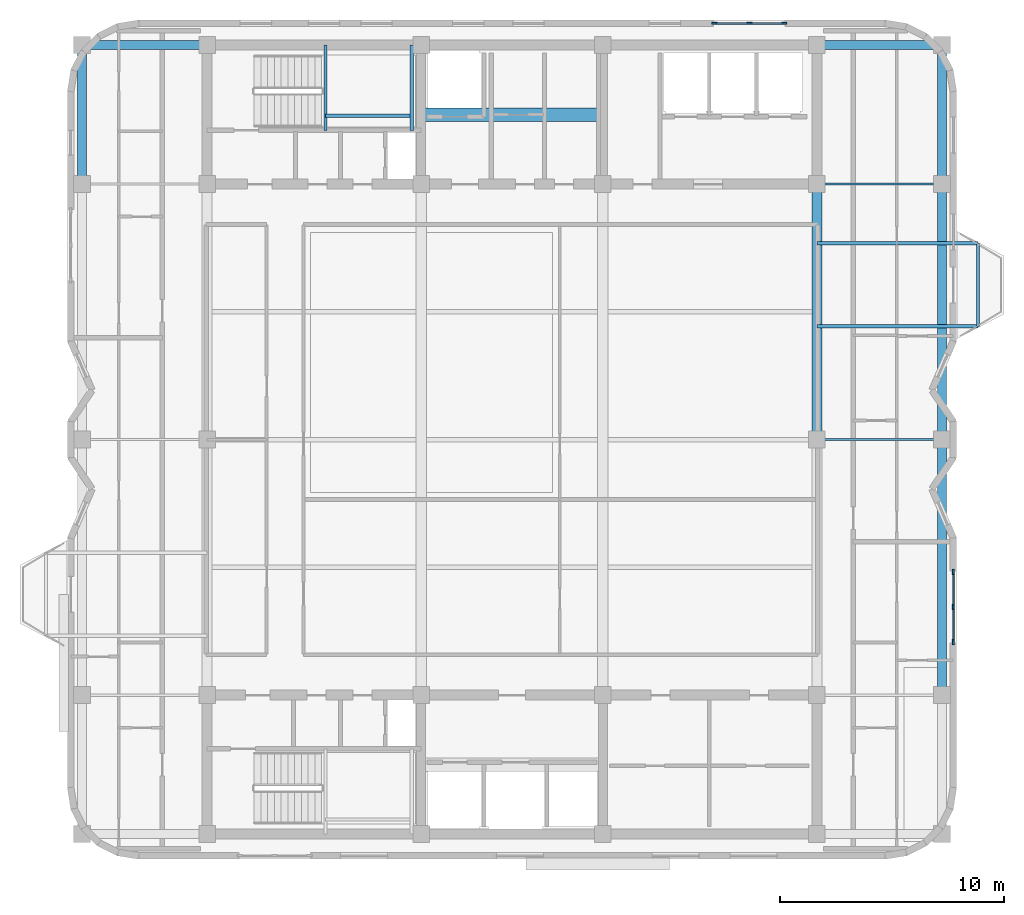
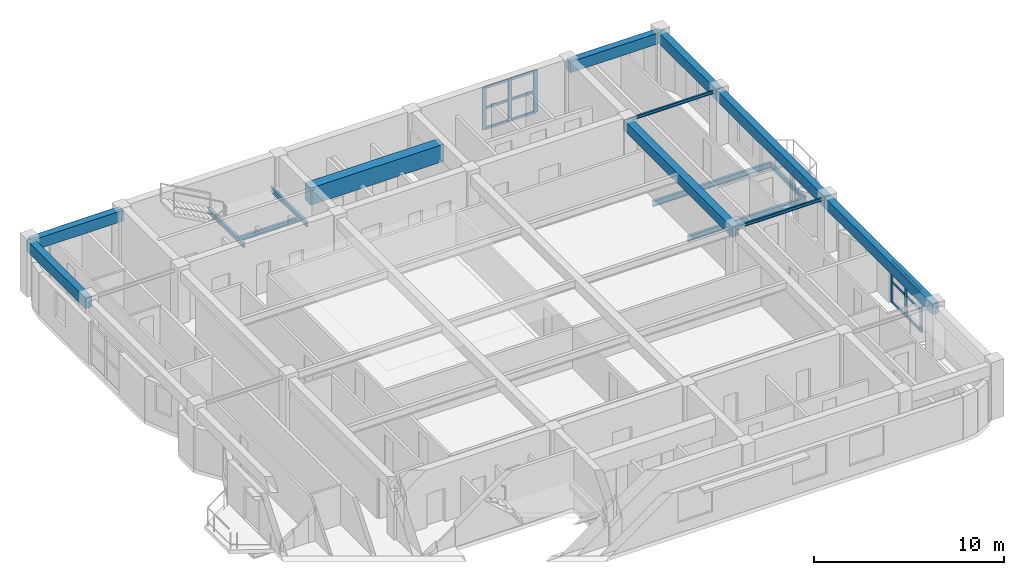
# One storey, part 3 of 11: 18 members, 16 beams, 2 elements without a shape of their own.
"""IFC4 building model written with IfcOpenShell, lengths in metres."""

from ifc_helpers import new_model, si_unit, direction, frame, origin, origin_2d, place, context, subcontext, project, spatial, rectangle, i_section, extrude, material, material_profile, profile_set, type_object, element, aggregate, save


model = new_model("IFC4")

# Units and contexts
model_context = context("Model", 3, precision=1e-05, world=origin(), true_north=direction((0.0, 1.0)))
body_context = subcontext(model_context, "Body", "Model", "MODEL_VIEW")
ifc_project = project(units=[si_unit("LENGTHUNIT", "METRE"), si_unit("AREAUNIT", "SQUARE_METRE"), si_unit("VOLUMEUNIT", "CUBIC_METRE"), si_unit("PLANEANGLEUNIT", "RADIAN"), si_unit("MASSUNIT", "GRAM", prefix="KILO")], contexts=[model_context])

# Site, building, storey
site_placement = place(None, origin())
site = spatial("IfcSite", under=ifc_project, at=site_placement, CompositionType="ELEMENT")
building_placement = place(site_placement, origin())
building = spatial("IfcBuilding", under=site, at=building_placement, Name="Svetorya Sky Lyceum", CompositionType="ELEMENT")
storey_placement = place(building_placement, frame((0.0, 0.0, 293.5)))
storey = spatial("IfcBuildingStorey", under=building, at=storey_placement, Name="L74", CompositionType="ELEMENT", Elevation=293.5)

# Beams
ifc_material_1 = material(Name="Concrete C60/75", Category="concrete")
ifc_material_profile_1 = material_profile(ifc_material_1, rectangle(XDim=0.60009765625, YDim=1.10009765625, at=origin_2d()), Name="RC COUPLING 600x1100")
ifc_profile_set_1 = profile_set([ifc_material_profile_1], Name="Concrete C60/75")
beam_type_1 = type_object("IfcBeamType", Name="BM-CPL-1100", PredefinedType="LINTEL", material=ifc_profile_set_1)
beam_1_placement = place(storey_placement, frame((35.14990234375, 42.699951171875, 2.8798828125), z_axis=(1.0, 0.0, 0.0), x_axis=(0.0, 1.0, 0.0)))
element("IfcBeam", 1, at=beam_1_placement, inside=storey, type_object=beam_type_1, Name="L74 NC Core Coupling Beam", PredefinedType="LINTEL", context=body_context, shape_type="SweptSolid", body=[
    extrude(rectangle(XDim=0.60009765625, YDim=1.10009765625, at=origin_2d()), origin(), (0.0, 0.0, 1.0), 8.10009765625),
])
ifc_material_2 = material(Name="Concrete C40/50", Category="concrete")
ifc_material_profile_2 = material_profile(ifc_material_2, rectangle(XDim=0.449951171875, YDim=0.64990234375, at=origin_2d()), Name="RC BEAM 450x650")
ifc_profile_set_2 = profile_set([ifc_material_profile_2], Name="Concrete C40/50")
beam_type_2 = type_object("IfcBeamType", Name="BM-RC-650", PredefinedType="BEAM", material=ifc_profile_set_2)
beam_2_placement = place(storey_placement, frame((52.800048828125, 28.199951171875, 3.10498046875), z_axis=(0.0, 1.0, 0.0), x_axis=(-1.0, 0.0, 0.0)))
element("IfcBeam", 2, at=beam_2_placement, inside=storey, type_object=beam_type_2, Name="L74 Central Bay Primary Girder CG-4B", PredefinedType="BEAM", context=body_context, shape_type="SweptSolid", body=[
    extrude(rectangle(XDim=0.449951171875, YDim=0.64990234375, at=origin_2d()), origin(), (0.0, 0.0, 1.0), 11.400146484375),
])
ifc_material_3 = material(Name="Concrete C50/60", Category="concrete")
ifc_material_profile_3 = material_profile(ifc_material_3, rectangle(XDim=0.39990234375, YDim=0.699951171875, at=origin_2d()), Name="RC SPANDREL 400x700")
ifc_profile_set_3 = profile_set([ifc_material_profile_3], Name="Concrete C50/60")
beam_type_3 = type_object("IfcBeamType", Name="BM-SPN-700", PredefinedType="SPANDREL", material=ifc_profile_set_3)
beam_3_placement = place(storey_placement, frame((20.010009765625, 45.800048828125, 3.080078125), z_axis=(1.0, 0.0, 0.0), x_axis=(0.0, 1.0, 0.0)))
element("IfcBeam", 3, at=beam_3_placement, inside=storey, type_object=beam_type_3, Name="L74 Tie Spandrel NW", PredefinedType="SPANDREL", context=body_context, shape_type="SweptSolid", body=[
    extrude(rectangle(XDim=0.39990234375, YDim=0.699951171875, at=origin_2d()), origin(), (0.0, 0.0, 1.0), 5.590087890625),
])
beam_4_placement = place(storey_placement, frame((52.800048828125, 45.800048828125, 3.080078125), z_axis=(1.0, 0.0, 0.0), x_axis=(0.0, 1.0, 0.0)))
element("IfcBeam", 4, at=beam_4_placement, inside=storey, type_object=beam_type_3, Name="L74 Tie Spandrel NE", PredefinedType="SPANDREL", context=body_context, shape_type="SweptSolid", body=[
    extrude(rectangle(XDim=0.39990234375, YDim=0.699951171875, at=origin_2d()), origin(), (0.0, 0.0, 1.0), 5.58984375),
])
beam_5_placement = place(storey_placement, frame((20.010009765625, 39.60009765625, 3.080078125), z_axis=(0.0, 1.0, 0.0), x_axis=(-1.0, 0.0, 0.0)))
element("IfcBeam", 5, at=beam_5_placement, inside=storey, type_object=beam_type_3, Name="L74 West Spandrel 4", PredefinedType="SPANDREL", context=body_context, shape_type="SweptSolid", body=[
    extrude(rectangle(XDim=0.39990234375, YDim=0.699951171875, at=origin_2d()), origin(), (0.0, 0.0, 1.0), 6.199951171875),
])
beam_6_placement = place(storey_placement, frame((58.389892578125, 16.800048828125, 3.080078125), z_axis=(0.0, 1.0, 0.0), x_axis=(-1.0, 0.0, 0.0)))
element("IfcBeam", 6, at=beam_6_placement, inside=storey, type_object=beam_type_3, Name="L74 East Spandrel 2", PredefinedType="SPANDREL", context=body_context, shape_type="SweptSolid", body=[
    extrude(rectangle(XDim=0.39990234375, YDim=0.699951171875, at=origin_2d()), origin(), (0.0, 0.0, 1.0), 11.39990234375),
])
beam_7_placement = place(storey_placement, frame((58.389892578125, 28.199951171875, 3.080078125), z_axis=(0.0, 1.0, 0.0), x_axis=(-1.0, 0.0, 0.0)))
element("IfcBeam", 7, at=beam_7_placement, inside=storey, type_object=beam_type_3, Name="L74 East Spandrel 3", PredefinedType="SPANDREL", context=body_context, shape_type="SweptSolid", body=[
    extrude(rectangle(XDim=0.39990234375, YDim=0.699951171875, at=origin_2d()), origin(), (0.0, 0.0, 1.0), 11.400146484375),
])
beam_8_placement = place(storey_placement, frame((58.389892578125, 39.60009765625, 3.080078125), z_axis=(0.0, 1.0, 0.0), x_axis=(-1.0, 0.0, 0.0)))
element("IfcBeam", 8, at=beam_8_placement, inside=storey, type_object=beam_type_3, Name="L74 East Spandrel 4", PredefinedType="SPANDREL", context=body_context, shape_type="SweptSolid", body=[
    extrude(rectangle(XDim=0.39990234375, YDim=0.699951171875, at=origin_2d()), origin(), (0.0, 0.0, 1.0), 6.199951171875),
])
ifc_material_4 = material(Name="Steel S355", Category="steel")
ifc_material_profile_4 = material_profile(ifc_material_4, i_section(OverallWidth=0.10009765625, OverallDepth=0.199951171875, WebThickness=0.005615234375, FlangeThickness=0.008544921875, at=origin_2d()), Name="GOST 20B1")
ifc_profile_set_4 = profile_set([ifc_material_profile_4], Name="Steel S355")
beam_type_4 = type_object("IfcBeamType", Name="BM-STL-20B1", PredefinedType="JOIST", material=ifc_profile_set_4)
for number, where, z_axis, x_axis, name in (
    (9, (52.800048828125, 28.199951171875, 3.330078125), (1.0, 0.0, 0.0), (0.0, 1.0, 0.0), "L74 East Wing Floor Joist E3"),
    (10, (52.800048828125, 39.60009765625, 3.330078125), (1.0, 0.0, 0.0), (0.0, 1.0, 0.0), "L74 East Wing Floor Joist E4"),
):
    element("IfcBeam", number, at=place(storey_placement, frame(where, z_axis=z_axis, x_axis=x_axis)), inside=storey, type_object=beam_type_4, Name=name, PredefinedType="JOIST", context=body_context, shape_type="SweptSolid", body=[
        extrude(i_section(OverallWidth=0.10009765625, OverallDepth=0.199951171875, WebThickness=0.005615234375, FlangeThickness=0.008544921875, at=origin_2d()), origin(), (0.0, 0.0, 1.0), 5.58984375),
    ])
ifc_material_profile_5 = material_profile(ifc_material_4, i_section(OverallWidth=0.14990234375, OverallDepth=0.299072265625, WebThickness=0.006591796875, FlangeThickness=0.010498046875, at=origin_2d()), Name="GOST 30B2")
ifc_profile_set_5 = profile_set([ifc_material_profile_5], Name="Steel S355")
beam_type_5 = type_object("IfcBeamType", Name="BM-STL-30B2", PredefinedType="JOIST", material=ifc_profile_set_5)
beam_9_placement = place(storey_placement, frame((59.989990234375, 33.25, -0.424560546875), z_axis=(0.0, 1.0, 0.0), x_axis=(-1.0, 0.0, 0.0)))
element("IfcBeam", 11, at=beam_9_placement, inside=storey, type_object=beam_type_5, Name="L74 Balcony Edge Tie BAL-E1", PredefinedType="JOIST", context=body_context, shape_type="SweptSolid", body=[
    extrude(i_section(OverallWidth=0.14990234375, OverallDepth=0.299072265625, WebThickness=0.006591796875, FlangeThickness=0.010498046875, at=origin_2d()), origin(), (0.0, 0.0, 1.0), 3.699951171875),
])
for number, where, z_axis, x_axis, name in (
    (12, (30.8798828125, 42.0, 1.50048828125), (0.0, 1.0, 0.0), (-1.0, 0.0, 0.0), "L74 Stair ST-N Half-Landing Support Beam 82.1"),
    (13, (34.719970703125, 42.0, 1.50048828125), (0.0, 1.0, 0.0), (-1.0, 0.0, 0.0), "L74 Stair ST-N Half-Landing Support Beam 82.2"),
):
    element("IfcBeam", number, at=place(storey_placement, frame(where, z_axis=z_axis, x_axis=x_axis)), inside=storey, type_object=beam_type_5, Name=name, PredefinedType="JOIST", context=body_context, shape_type="SweptSolid", body=[
        extrude(i_section(OverallWidth=0.14990234375, OverallDepth=0.299072265625, WebThickness=0.006591796875, FlangeThickness=0.010498046875, at=origin_2d()), origin(), (0.0, 0.0, 1.0), 3.800048828125),
    ])
beam_10_placement = place(storey_placement, frame((30.8798828125, 42.64990234375, 1.50048828125), z_axis=(1.0, 0.0, 0.0), x_axis=(0.0, 1.0, 0.0)))
element("IfcBeam", 14, at=beam_10_placement, inside=storey, type_object=beam_type_5, Name="L74 Stair ST-N Half-Landing Cross Tie 82", PredefinedType="JOIST", context=body_context, shape_type="SweptSolid", body=[
    extrude(i_section(OverallWidth=0.14990234375, OverallDepth=0.299072265625, WebThickness=0.006591796875, FlangeThickness=0.010498046875, at=origin_2d()), origin(), (0.0, 0.0, 1.0), 3.840087890625),
])
ifc_material_profile_6 = material_profile(ifc_material_4, i_section(OverallWidth=0.155029296875, OverallDepth=0.34912109375, WebThickness=0.007080078125, FlangeThickness=0.011474609375, at=origin_2d()), Name="GOST 35B2")
ifc_profile_set_6 = profile_set([ifc_material_profile_6], Name="Steel S355")
beam_type_6 = type_object("IfcBeamType", Name="BM-STL-35B2", PredefinedType="JOIST", material=ifc_profile_set_6)
for number, where, z_axis, x_axis, name in (
    (15, (52.800048828125, 33.25, -0.424560546875), (1.0, 0.0, 0.0), (0.0, 1.0, 0.0), "L74 Balcony Cantilever Beam BAL-E1-1"),
    (16, (52.800048828125, 36.949951171875, -0.424560546875), (1.0, 0.0, 0.0), (0.0, 1.0, 0.0), "L74 Balcony Cantilever Beam BAL-E1-2"),
):
    element("IfcBeam", number, at=place(storey_placement, frame(where, z_axis=z_axis, x_axis=x_axis)), inside=storey, type_object=beam_type_6, Name=name, PredefinedType="JOIST", context=body_context, shape_type="SweptSolid", body=[
        extrude(i_section(OverallWidth=0.155029296875, OverallDepth=0.34912109375, WebThickness=0.007080078125, FlangeThickness=0.011474609375, at=origin_2d()), origin(), (0.0, 0.0, 1.0), 7.18994140625),
    ])

# Curtain wall, members
ifc_material_5 = material(Name="Thermally broken anodized aluminium and triple low-E glass", Category="aluminium")
curtain_wall_type = type_object("IfcCurtainWallType", Name="CW6-CRN-OBS", PredefinedType="NOTDEFINED", material=ifc_material_5)
curtain_wall_1_placement = place(storey_placement, origin())
curtain_wall_1 = element("IfcCurtainWall", 17, at=curtain_wall_1_placement, inside=storey, type_object=curtain_wall_type, Name="L74 Observatory Curtain Wall 12", PredefinedType="NOTDEFINED")
ifc_material_6 = material(Name="Thermally broken anodized aluminium EN AW-6060", Category="aluminium")
ifc_material_profile_7 = material_profile(ifc_material_6, rectangle(XDim=0.0849609375, YDim=0.239990234375, at=origin_2d()), Name="ALU MULLION 85x240")
ifc_profile_set_7 = profile_set([ifc_material_profile_7], Name="Thermally broken anodized aluminium EN AW-6060")
member_type_1 = type_object("IfcMemberType", Name="CWM-MUL-240", PredefinedType="MULLION", material=ifc_profile_set_7)
member_1_placement = place(storey_placement, frame((58.889892578125, 19.172607421875, 0.0), z_axis=(0.0, 0.0, 1.0), x_axis=(-1.0, 0.0, 0.0)))
member_1 = element("IfcMember", 18, at=member_1_placement, type_object=member_type_1, Name="CW-6 mullion 1", PredefinedType="MULLION", context=body_context, shape_type="SweptSolid", body=[
    extrude(rectangle(XDim=0.0849609375, YDim=0.239990234375, at=origin_2d()), origin(), (0.0, 0.0, 1.0), 2.7099609375),
])
member_2_placement = place(storey_placement, frame((58.889892578125, 20.72998046875, 0.0), z_axis=(0.0, 0.0, 1.0), x_axis=(-1.0, 0.0, 0.0)))
member_2 = element("IfcMember", 19, at=member_2_placement, type_object=member_type_1, Name="CW-6 mullion 2", PredefinedType="MULLION", context=body_context, shape_type="SweptSolid", body=[
    extrude(rectangle(XDim=0.0849609375, YDim=0.239990234375, at=origin_2d()), origin(), (0.0, 0.0, 1.0), 2.7099609375),
])
member_3_placement = place(storey_placement, frame((58.889892578125, 22.28759765625, 0.0), z_axis=(0.0, 0.0, 1.0), x_axis=(-1.0, 0.0, 0.0)))
member_3 = element("IfcMember", 20, at=member_3_placement, type_object=member_type_1, Name="CW-6 mullion 3", PredefinedType="MULLION", context=body_context, shape_type="SweptSolid", body=[
    extrude(rectangle(XDim=0.0849609375, YDim=0.239990234375, at=origin_2d()), origin(), (0.0, 0.0, 1.0), 2.7099609375),
])

curtain_wall_2_placement = place(storey_placement, origin())
curtain_wall_2 = element("IfcCurtainWall", 21, at=curtain_wall_2_placement, inside=storey, type_object=curtain_wall_type, Name="L74 Observatory Curtain Wall 24", PredefinedType="NOTDEFINED")
member_4_placement = place(storey_placement, frame((51.347412109375, 46.77001953125, 0.0), z_axis=(0.0, 0.0, 1.0), x_axis=(0.0, -1.0, 0.0)))
member_4 = element("IfcMember", 22, at=member_4_placement, type_object=member_type_1, Name="CW-6 mullion 1", PredefinedType="MULLION", context=body_context, shape_type="SweptSolid", body=[
    extrude(rectangle(XDim=0.0849609375, YDim=0.239990234375, at=origin_2d()), origin(), (0.0, 0.0, 1.0), 2.7099609375),
])
member_5_placement = place(storey_placement, frame((49.7900390625, 46.77001953125, 0.0), z_axis=(0.0, 0.0, 1.0), x_axis=(0.0, -1.0, 0.0)))
member_5 = element("IfcMember", 23, at=member_5_placement, type_object=member_type_1, Name="CW-6 mullion 2", PredefinedType="MULLION", context=body_context, shape_type="SweptSolid", body=[
    extrude(rectangle(XDim=0.0849609375, YDim=0.239990234375, at=origin_2d()), origin(), (0.0, 0.0, 1.0), 2.7099609375),
])
member_6_placement = place(storey_placement, frame((48.232421875, 46.77001953125, 0.0), z_axis=(0.0, 0.0, 1.0), x_axis=(0.0, -1.0, 0.0)))
member_6 = element("IfcMember", 24, at=member_6_placement, type_object=member_type_1, Name="CW-6 mullion 3", PredefinedType="MULLION", context=body_context, shape_type="SweptSolid", body=[
    extrude(rectangle(XDim=0.0849609375, YDim=0.239990234375, at=origin_2d()), origin(), (0.0, 0.0, 1.0), 2.7099609375),
])

# Member
ifc_material_profile_8 = material_profile(ifc_material_6, rectangle(XDim=0.074951171875, YDim=0.159912109375, at=origin_2d()), Name="ALU TRANSOM 75x160")
ifc_profile_set_8 = profile_set([ifc_material_profile_8], Name="Thermally broken anodized aluminium EN AW-6060")
member_type_2 = type_object("IfcMemberType", Name="CWM-TRN-160", PredefinedType="USERDEFINED", material=ifc_profile_set_8)
member_7_placement = place(storey_placement, frame((58.889892578125, 19.21337890625, 0.03759765625), z_axis=(0.0, 1.0, 0.0), x_axis=(-1.0, 0.0, 0.0)))
member_7 = element("IfcMember", 25, at=member_7_placement, type_object=member_type_2, Name="CW-6 transom 1.1", ObjectType="TRANSOM", PredefinedType="USERDEFINED", context=body_context, shape_type="SweptSolid", body=[
    extrude(rectangle(XDim=0.074951171875, YDim=0.159912109375, at=origin_2d()), origin(), (0.0, 0.0, 1.0), 1.4755859375),
])

member_8_placement = place(storey_placement, frame((58.889892578125, 19.21337890625, 1.35498046875), z_axis=(0.0, 1.0, 0.0), x_axis=(-1.0, 0.0, 0.0)))
member_8 = element("IfcMember", 26, at=member_8_placement, type_object=member_type_2, Name="CW-6 transom 1.2", ObjectType="TRANSOM", PredefinedType="USERDEFINED", context=body_context, shape_type="SweptSolid", body=[
    extrude(rectangle(XDim=0.074951171875, YDim=0.159912109375, at=origin_2d()), origin(), (0.0, 0.0, 1.0), 1.4755859375),
])

member_9_placement = place(storey_placement, frame((58.889892578125, 19.21337890625, 2.672607421875), z_axis=(0.0, 1.0, 0.0), x_axis=(-1.0, 0.0, 0.0)))
member_9 = element("IfcMember", 27, at=member_9_placement, type_object=member_type_2, Name="CW-6 transom 1.3", ObjectType="TRANSOM", PredefinedType="USERDEFINED", context=body_context, shape_type="SweptSolid", body=[
    extrude(rectangle(XDim=0.074951171875, YDim=0.159912109375, at=origin_2d()), origin(), (0.0, 0.0, 1.0), 1.4755859375),
])

member_10_placement = place(storey_placement, frame((58.889892578125, 20.77099609375, 0.03759765625), z_axis=(0.0, 1.0, 0.0), x_axis=(-1.0, 0.0, 0.0)))
member_10 = element("IfcMember", 28, at=member_10_placement, type_object=member_type_2, Name="CW-6 transom 2.1", ObjectType="TRANSOM", PredefinedType="USERDEFINED", context=body_context, shape_type="SweptSolid", body=[
    extrude(rectangle(XDim=0.074951171875, YDim=0.159912109375, at=origin_2d()), origin(), (0.0, 0.0, 1.0), 1.4755859375),
])

member_11_placement = place(storey_placement, frame((58.889892578125, 20.77099609375, 1.35498046875), z_axis=(0.0, 1.0, 0.0), x_axis=(-1.0, 0.0, 0.0)))
member_11 = element("IfcMember", 29, at=member_11_placement, type_object=member_type_2, Name="CW-6 transom 2.2", ObjectType="TRANSOM", PredefinedType="USERDEFINED", context=body_context, shape_type="SweptSolid", body=[
    extrude(rectangle(XDim=0.074951171875, YDim=0.159912109375, at=origin_2d()), origin(), (0.0, 0.0, 1.0), 1.4755859375),
])

member_12_placement = place(storey_placement, frame((58.889892578125, 20.77099609375, 2.672607421875), z_axis=(0.0, 1.0, 0.0), x_axis=(-1.0, 0.0, 0.0)))
member_12 = element("IfcMember", 30, at=member_12_placement, type_object=member_type_2, Name="CW-6 transom 2.3", ObjectType="TRANSOM", PredefinedType="USERDEFINED", context=body_context, shape_type="SweptSolid", body=[
    extrude(rectangle(XDim=0.074951171875, YDim=0.159912109375, at=origin_2d()), origin(), (0.0, 0.0, 1.0), 1.4755859375),
])

aggregate(curtain_wall_1, [member_1, member_2, member_3, member_7, member_8, member_9, member_10, member_11, member_12])

member_13_placement = place(storey_placement, frame((51.306396484375, 46.77001953125, 0.03759765625), z_axis=(-1.0, 0.0, 0.0), x_axis=(0.0, -1.0, 0.0)))
member_13 = element("IfcMember", 31, at=member_13_placement, type_object=member_type_2, Name="CW-6 transom 1.1", ObjectType="TRANSOM", PredefinedType="USERDEFINED", context=body_context, shape_type="SweptSolid", body=[
    extrude(rectangle(XDim=0.074951171875, YDim=0.159912109375, at=origin_2d()), origin(), (0.0, 0.0, 1.0), 1.475341796875),
])

member_14_placement = place(storey_placement, frame((51.306396484375, 46.77001953125, 1.35498046875), z_axis=(-1.0, 0.0, 0.0), x_axis=(0.0, -1.0, 0.0)))
member_14 = element("IfcMember", 32, at=member_14_placement, type_object=member_type_2, Name="CW-6 transom 1.2", ObjectType="TRANSOM", PredefinedType="USERDEFINED", context=body_context, shape_type="SweptSolid", body=[
    extrude(rectangle(XDim=0.074951171875, YDim=0.159912109375, at=origin_2d()), origin(), (0.0, 0.0, 1.0), 1.475341796875),
])

member_15_placement = place(storey_placement, frame((51.306396484375, 46.77001953125, 2.672607421875), z_axis=(-1.0, 0.0, 0.0), x_axis=(0.0, -1.0, 0.0)))
member_15 = element("IfcMember", 33, at=member_15_placement, type_object=member_type_2, Name="CW-6 transom 1.3", ObjectType="TRANSOM", PredefinedType="USERDEFINED", context=body_context, shape_type="SweptSolid", body=[
    extrude(rectangle(XDim=0.074951171875, YDim=0.159912109375, at=origin_2d()), origin(), (0.0, 0.0, 1.0), 1.475341796875),
])

member_16_placement = place(storey_placement, frame((49.7490234375, 46.77001953125, 0.03759765625), z_axis=(-1.0, 0.0, 0.0), x_axis=(0.0, -1.0, 0.0)))
member_16 = element("IfcMember", 34, at=member_16_placement, type_object=member_type_2, Name="CW-6 transom 2.1", ObjectType="TRANSOM", PredefinedType="USERDEFINED", context=body_context, shape_type="SweptSolid", body=[
    extrude(rectangle(XDim=0.074951171875, YDim=0.159912109375, at=origin_2d()), origin(), (0.0, 0.0, 1.0), 1.4755859375),
])

member_17_placement = place(storey_placement, frame((49.7490234375, 46.77001953125, 1.35498046875), z_axis=(-1.0, 0.0, 0.0), x_axis=(0.0, -1.0, 0.0)))
member_17 = element("IfcMember", 35, at=member_17_placement, type_object=member_type_2, Name="CW-6 transom 2.2", ObjectType="TRANSOM", PredefinedType="USERDEFINED", context=body_context, shape_type="SweptSolid", body=[
    extrude(rectangle(XDim=0.074951171875, YDim=0.159912109375, at=origin_2d()), origin(), (0.0, 0.0, 1.0), 1.4755859375),
])

member_18_placement = place(storey_placement, frame((49.7490234375, 46.77001953125, 2.672607421875), z_axis=(-1.0, 0.0, 0.0), x_axis=(0.0, -1.0, 0.0)))
member_18 = element("IfcMember", 36, at=member_18_placement, type_object=member_type_2, Name="CW-6 transom 2.3", ObjectType="TRANSOM", PredefinedType="USERDEFINED", context=body_context, shape_type="SweptSolid", body=[
    extrude(rectangle(XDim=0.074951171875, YDim=0.159912109375, at=origin_2d()), origin(), (0.0, 0.0, 1.0), 1.4755859375),
])

aggregate(curtain_wall_2, [member_4, member_5, member_6, member_13, member_14, member_15, member_16, member_17, member_18])

save(model, "model.ifc")
